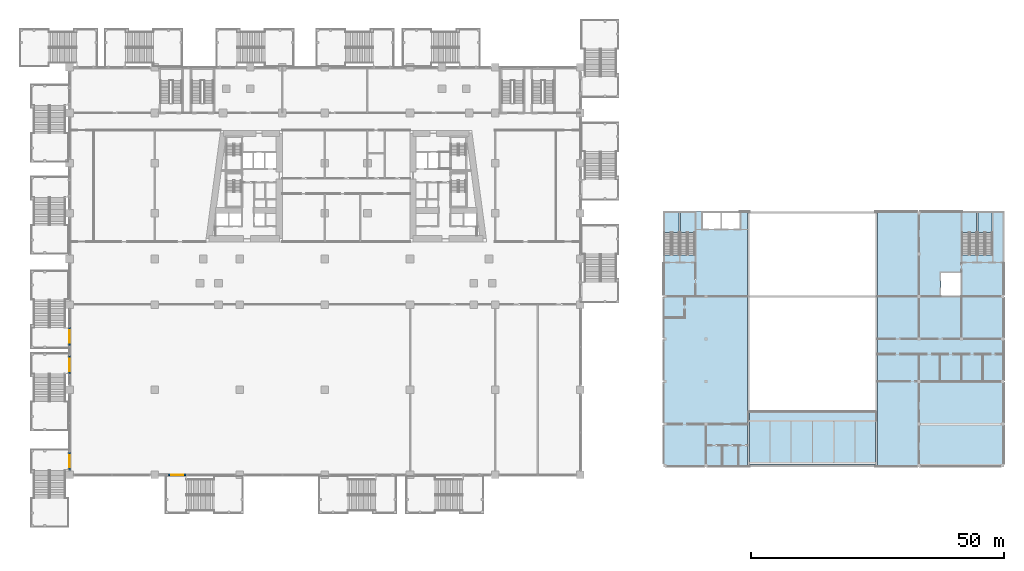
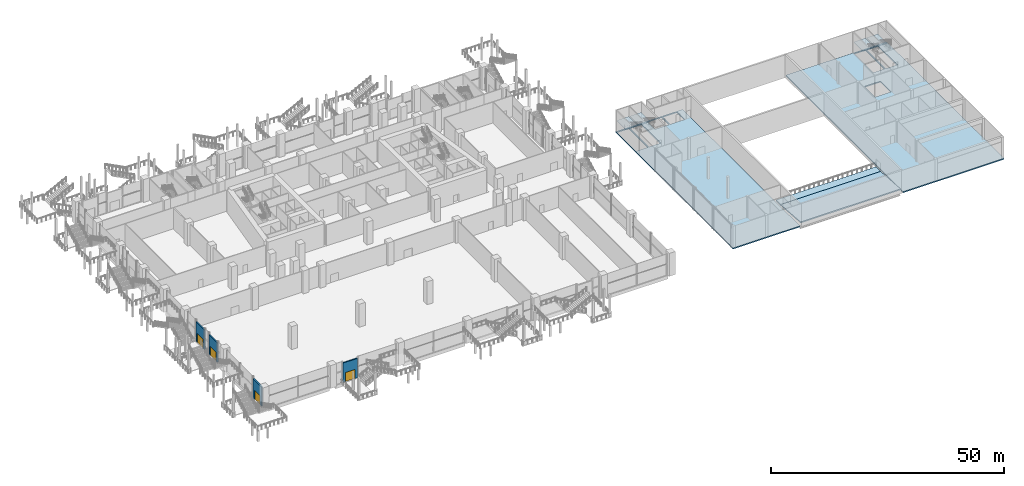
# One storey, part 21 of 49: 8 slabs, 4 doors, 4 walls, 4 openings, 4 elements without a shape of their own.
"""IFC4 building model written with IfcOpenShell, lengths in metres."""

from ifc_helpers import new_model, si_unit, direction, frame, frame_2d, origin, place, context, subcontext, project, spatial, polyline, rectangle, outline, extrude, material, layer, layer_set, type_object, element, fill, aggregate, save


model = new_model("IFC4")

# Units and contexts
model_context = context("Model", 3, precision=1e-05, world=origin(), true_north=direction((0.0, 1.0)))
body_context = subcontext(model_context, "Body", "Model", "MODEL_VIEW")
ifc_project = project(units=[si_unit("LENGTHUNIT", "METRE"), si_unit("AREAUNIT", "SQUARE_METRE"), si_unit("VOLUMEUNIT", "CUBIC_METRE"), si_unit("PLANEANGLEUNIT", "RADIAN"), si_unit("MASSUNIT", "GRAM", prefix="KILO")], contexts=[model_context])

# Site, building, storey
site_placement = place(None, origin())
site = spatial("IfcSite", under=ifc_project, at=site_placement, CompositionType="ELEMENT")
building_placement = place(site_placement, origin())
building = spatial("IfcBuilding", under=site, at=building_placement, Name="Candeia Pilgrim Tower and Theatre", CompositionType="ELEMENT")
storey_placement = place(building_placement, frame((0.0, 0.0, 17.0)))
storey = spatial("IfcBuildingStorey", under=building, at=storey_placement, Name="L02", CompositionType="ELEMENT", Elevation=17.0)

# Slabs
ifc_material_1 = material(Name="Concrete C35/45", Category="concrete")
ifc_layer_1 = layer(ifc_material_1, 0.300048828125)
ifc_layer_set_1 = layer_set([ifc_layer_1], Name="Circle floor slab 300")
slab_type_1 = type_object("IfcSlabType", Name="Circle floor slab 300", PredefinedType="FLOOR", material=ifc_layer_set_1)
slab_1_placement = place(storey_placement, frame((0.0, 0.0, -0.300048828125)))
element("IfcSlab", 1, at=slab_1_placement, inside=storey, type_object=slab_type_1, Name="Circle 2 front floor", PredefinedType="FLOOR", context=body_context, shape_type="SweptSolid", body=[
    extrude(outline(polyline([(193.0, 75.0), (217.800048828125, 75.0), (217.800048828125, 77.0), (193.0, 77.0), (193.0, 75.0)])), origin(), (0.0, 0.0, 1.0), 0.300048828125),
])
slab_2_placement = place(storey_placement, frame((193.0, 66.39990234375, 0.632080078125), z_axis=(0.0, 0.073299142381, 0.997309999813), x_axis=(1.0, 0.0, 0.0)))
element("IfcSlab", 2, at=slab_2_placement, inside=storey, type_object=slab_type_1, Name="Circle 2 raked floor", PredefinedType="FLOOR", context=body_context, shape_type="SweptSolid", body=[
    extrude(outline(polyline([(0.0, 0.0), (24.800048828125, 0.0), (24.800048828125, 8.623294319585714), (0.0, 8.623294319585714), (0.0, 0.0)])), origin(), (0.0, 0.0, -1.0), 0.300048828125),
])

# Stair, slab
stair_type = type_object("IfcStairType", Name="Theatre stair", PredefinedType="HALF_TURN_STAIR", material=ifc_material_1)
stair_1_placement = place(storey_placement, origin())
stair_1 = element("IfcStair", 3, at=stair_1_placement, inside=storey, type_object=stair_type, Name="L02 Theatre stair S1", PredefinedType="HALF_TURN_STAIR")
ifc_layer_2 = layer(ifc_material_1, 0.199951171875)
ifc_layer_set_2 = layer_set([ifc_layer_2], Name="Stair landing 200")
slab_type_2 = type_object("IfcSlabType", Name="Stair landing 200", PredefinedType="LANDING", material=ifc_layer_set_2)
slab_3_placement = place(storey_placement, frame((0.0, 0.0, 2.800048828125)))
slab_3 = element("IfcSlab", 4, at=slab_3_placement, type_object=slab_type_2, Name="TS1 landing 1", PredefinedType="LANDING", context=body_context, shape_type="SweptSolid", body=[
    extrude(outline(polyline([(179.10009765625, 112.2548828125), (179.10009765625, 116.14990234375), (176.125, 116.14990234375), (176.125, 112.2548828125), (179.10009765625, 112.2548828125)])), origin(), (0.0, 0.0, 1.0), 0.199951171875),
])
aggregate(stair_1, [slab_3])

stair_2_placement = place(storey_placement, origin())
stair_2 = element("IfcStair", 5, at=stair_2_placement, inside=storey, type_object=stair_type, Name="L02 Theatre stair S2", PredefinedType="HALF_TURN_STAIR")
slab_4_placement = place(storey_placement, frame((0.0, 0.0, 2.800048828125)))
slab_4 = element("IfcSlab", 6, at=slab_4_placement, type_object=slab_type_2, Name="TS2 landing 1", PredefinedType="LANDING", context=body_context, shape_type="SweptSolid", body=[
    extrude(outline(polyline([(182.199951171875, 112.2548828125), (182.199951171875, 116.14990234375), (179.35009765625, 116.14990234375), (179.35009765625, 112.2548828125), (182.199951171875, 112.2548828125)])), origin(), (0.0, 0.0, 1.0), 0.199951171875),
])
aggregate(stair_2, [slab_4])

stair_3_placement = place(storey_placement, origin())
stair_3 = element("IfcStair", 7, at=stair_3_placement, inside=storey, type_object=stair_type, Name="L02 Theatre stair S3", PredefinedType="HALF_TURN_STAIR")
slab_5_placement = place(storey_placement, frame((0.0, 0.0, 2.800048828125)))
slab_5 = element("IfcSlab", 8, at=slab_5_placement, type_object=slab_type_2, Name="TS3 landing 1", PredefinedType="LANDING", context=body_context, shape_type="SweptSolid", body=[
    extrude(outline(polyline([(237.77490234375, 112.2548828125), (237.77490234375, 116.14990234375), (234.925048828125, 116.14990234375), (234.925048828125, 112.2548828125), (237.77490234375, 112.2548828125)])), origin(), (0.0, 0.0, 1.0), 0.199951171875),
])
aggregate(stair_3, [slab_5])

stair_4_placement = place(storey_placement, origin())
stair_4 = element("IfcStair", 9, at=stair_4_placement, inside=storey, type_object=stair_type, Name="L02 Theatre stair S4", PredefinedType="HALF_TURN_STAIR")
slab_6_placement = place(storey_placement, frame((0.0, 0.0, 2.800048828125)))
slab_6 = element("IfcSlab", 10, at=slab_6_placement, type_object=slab_type_2, Name="TS4 landing 1", PredefinedType="LANDING", context=body_context, shape_type="SweptSolid", body=[
    extrude(outline(polyline([(240.875, 112.2548828125), (240.875, 116.14990234375), (238.02490234375, 116.14990234375), (238.02490234375, 112.2548828125), (240.875, 112.2548828125)])), origin(), (0.0, 0.0, 1.0), 0.199951171875),
])
aggregate(stair_4, [slab_6])

# Slabs
ifc_layer_3 = layer(ifc_material_1, 0.300048828125)
ifc_layer_set_3 = layer_set([ifc_layer_3], Name="Theatre floor slab 300")
slab_type_3 = type_object("IfcSlabType", Name="Theatre floor slab 300", PredefinedType="FLOOR", material=ifc_layer_set_3)
slab_7_placement = place(storey_placement, frame((0.0, 0.0, -0.300048828125)))
element("IfcSlab", 11, at=slab_7_placement, inside=storey, type_object=slab_type_3, Name="T-L02-F1", PredefinedType="FLOOR", context=body_context, shape_type="SweptSolid", body=[
    extrude(outline(polyline([(192.60009765625, 66.0), (176.0, 66.0), (176.0, 116.39990234375), (192.60009765625, 116.39990234375), (192.60009765625, 66.0)]), holes=[polyline([(179.10009765625, 116.14990234375), (176.125, 116.14990234375), (176.125, 107.794921875), (179.10009765625, 107.794921875), (179.10009765625, 116.14990234375)]), polyline([(182.199951171875, 107.794921875), (182.199951171875, 116.14990234375), (179.35009765625, 116.14990234375), (179.35009765625, 107.794921875), (182.199951171875, 107.794921875)]), polyline([(183.72509765625, 112.925048828125), (187.27490234375, 112.925048828125), (187.27490234375, 116.27490234375), (183.72509765625, 116.27490234375), (183.72509765625, 112.925048828125)]), polyline([(187.52490234375, 116.27490234375), (187.52490234375, 112.925048828125), (191.074951171875, 112.925048828125), (191.074951171875, 116.27490234375), (187.52490234375, 116.27490234375)])]), origin(), (0.0, 0.0, 1.0), 0.300048828125),
])
slab_8_placement = place(storey_placement, frame((0.0, 0.0, -0.300048828125)))
element("IfcSlab", 12, at=slab_8_placement, inside=storey, type_object=slab_type_3, Name="T-L02-F2", PredefinedType="FLOOR", context=body_context, shape_type="SweptSolid", body=[
    extrude(outline(polyline([(243.199951171875, 66.0), (218.199951171875, 66.0), (218.199951171875, 116.39990234375), (243.199951171875, 116.39990234375), (243.199951171875, 66.0)]), holes=[polyline([(234.925048828125, 107.794921875), (237.77490234375, 107.794921875), (237.77490234375, 116.14990234375), (234.925048828125, 116.14990234375), (234.925048828125, 107.794921875)]), polyline([(238.02490234375, 116.14990234375), (238.02490234375, 107.794921875), (240.875, 107.794921875), (240.875, 116.14990234375), (238.02490234375, 116.14990234375)]), polyline([(234.675048828125, 104.27490234375), (230.72509765625, 104.27490234375), (230.72509765625, 99.72509765625), (234.675048828125, 99.72509765625), (234.675048828125, 104.27490234375)])]), origin(), (0.0, 0.0, 1.0), 0.300048828125),
])

# Wall, opening, door
ifc_material_2 = material(Name="Ceramic block masonry", Category="masonry")
ifc_layer_4 = layer(ifc_material_2, 0.300048828125)
ifc_layer_set_4 = layer_set([ifc_layer_4], Name="EW2 entrance infill wall 300")
wall_type = type_object("IfcWallType", Name="EW2 entrance infill wall 300", PredefinedType="SOLIDWALL", material=ifc_layer_set_4)
wall_1_placement = place(storey_placement, frame((58.800048828125, 65.300048828125, 0.0), z_axis=(0.0, 0.0, 1.0), x_axis=(0.0, 1.0, 0.0)))
wall_1 = element("IfcWall", 13, at=wall_1_placement, inside=storey, type_object=wall_type, Name="Entrance wall L02", PredefinedType="SOLIDWALL", context=body_context, shape_type="SweptSolid", body=[
    extrude(rectangle(XDim=3.599853515625, YDim=0.300048828125, at=frame_2d((1.7998046875, 0.0))), origin(), (0.0, 0.0, 1.0), 5.10009765625),
])
opening_1_placement = place(wall_1_placement, frame((0.60009765625, 0.0, 0.0)))
opening_1 = element("IfcOpeningElement", 14, at=opening_1_placement, cuts=wall_1, Name="Opening L02-ED043", PredefinedType="OPENING", context=body_context, shape_type="SweptSolid", body=[
    extrude(rectangle(XDim=2.39990234375, YDim=2.39990234375, at=frame_2d((1.199951171875, 1.199951171875))), frame((0.0, 0.16015625, 0.0), z_axis=(0.0, -1.0, 0.0), x_axis=(1.0, 0.0, 0.0)), (0.0, 0.0, 1.0), 0.320068359375),
])
ifc_material_3 = material(Name="Aluminium framed glazed door", Category="aluminium")
door_type = type_object("IfcDoorType", Name="ED entrance double door 2400x2400", OperationType="DOUBLE_DOOR_DOUBLE_SWING", PredefinedType="DOOR", material=ifc_material_3)
door_1_placement = place(opening_1_placement, origin())
door_1 = element("IfcDoor", 15, at=door_1_placement, inside=storey, type_object=door_type, Name="Entrance door L02-ED043", OperationType="DOUBLE_DOOR_DOUBLE_SWING", OverallHeight=2.39990234375, OverallWidth=2.39990234375, PredefinedType="DOOR", context=body_context, shape_type="SweptSolid", body=[
    extrude(rectangle(XDim=2.39990234375, YDim=2.39990234375, at=frame_2d((1.199951171875, 1.199951171875))), frame((0.0, 0.02490234375, 0.0), z_axis=(0.0, -1.0, 0.0), x_axis=(1.0, 0.0, 0.0)), (0.0, 0.0, 1.0), 0.050048828125),
])
fill(opening_1, door_1)

wall_2_placement = place(storey_placement, frame((58.800048828125, 84.300048828125, 0.0), z_axis=(0.0, 0.0, 1.0), x_axis=(0.0, 1.0, 0.0)))
wall_2 = element("IfcWall", 16, at=wall_2_placement, inside=storey, type_object=wall_type, Name="Entrance wall L02", PredefinedType="SOLIDWALL", context=body_context, shape_type="SweptSolid", body=[
    extrude(rectangle(XDim=3.599853515625, YDim=0.300048828125, at=frame_2d((1.7998046875, 0.0))), origin(), (0.0, 0.0, 1.0), 5.10009765625),
])
opening_2_placement = place(wall_2_placement, frame((0.60009765625, 0.0, 0.0)))
opening_2 = element("IfcOpeningElement", 17, at=opening_2_placement, cuts=wall_2, Name="Opening L02-ED044", PredefinedType="OPENING", context=body_context, shape_type="SweptSolid", body=[
    extrude(rectangle(XDim=2.39990234375, YDim=2.39990234375, at=frame_2d((1.199951171875, 1.199951171875))), frame((0.0, 0.16015625, 0.0), z_axis=(0.0, -1.0, 0.0), x_axis=(1.0, 0.0, 0.0)), (0.0, 0.0, 1.0), 0.320068359375),
])
door_2_placement = place(opening_2_placement, origin())
door_2 = element("IfcDoor", 18, at=door_2_placement, inside=storey, type_object=door_type, Name="Entrance door L02-ED044", OperationType="DOUBLE_DOOR_DOUBLE_SWING", OverallHeight=2.39990234375, OverallWidth=2.39990234375, PredefinedType="DOOR", context=body_context, shape_type="SweptSolid", body=[
    extrude(rectangle(XDim=2.39990234375, YDim=2.39990234375, at=frame_2d((1.199951171875, 1.199951171875))), frame((0.0, 0.02490234375, 0.0), z_axis=(0.0, -1.0, 0.0), x_axis=(1.0, 0.0, 0.0)), (0.0, 0.0, 1.0), 0.050048828125),
])
fill(opening_2, door_2)

wall_3_placement = place(storey_placement, frame((58.800048828125, 89.89990234375, 0.0), z_axis=(0.0, 0.0, 1.0), x_axis=(0.0, 1.0, 0.0)))
wall_3 = element("IfcWall", 19, at=wall_3_placement, inside=storey, type_object=wall_type, Name="Entrance wall L02", PredefinedType="SOLIDWALL", context=body_context, shape_type="SweptSolid", body=[
    extrude(rectangle(XDim=3.60009765625, YDim=0.300048828125, at=frame_2d((1.800048828125, 0.0))), origin(), (0.0, 0.0, 1.0), 5.10009765625),
])
opening_3_placement = place(wall_3_placement, frame((0.60009765625, 0.0, 0.0)))
opening_3 = element("IfcOpeningElement", 20, at=opening_3_placement, cuts=wall_3, Name="Opening L02-ED045", PredefinedType="OPENING", context=body_context, shape_type="SweptSolid", body=[
    extrude(rectangle(XDim=2.39990234375, YDim=2.39990234375, at=frame_2d((1.199951171875, 1.199951171875))), frame((0.0, 0.16015625, 0.0), z_axis=(0.0, -1.0, 0.0), x_axis=(1.0, 0.0, 0.0)), (0.0, 0.0, 1.0), 0.320068359375),
])
door_3_placement = place(opening_3_placement, origin())
door_3 = element("IfcDoor", 21, at=door_3_placement, inside=storey, type_object=door_type, Name="Entrance door L02-ED045", OperationType="DOUBLE_DOOR_DOUBLE_SWING", OverallHeight=2.39990234375, OverallWidth=2.39990234375, PredefinedType="DOOR", context=body_context, shape_type="SweptSolid", body=[
    extrude(rectangle(XDim=2.39990234375, YDim=2.39990234375, at=frame_2d((1.199951171875, 1.199951171875))), frame((0.0, 0.02490234375, 0.0), z_axis=(0.0, -1.0, 0.0), x_axis=(1.0, 0.0, 0.0)), (0.0, 0.0, 1.0), 0.050048828125),
])
fill(opening_3, door_3)

wall_4_placement = place(storey_placement, frame((81.89990234375, 64.39990234375, 0.0), z_axis=(0.0, 0.0, 1.0), x_axis=(-1.0, 0.0, 0.0)))
wall_4 = element("IfcWall", 22, at=wall_4_placement, inside=storey, type_object=wall_type, Name="Entrance wall L02", PredefinedType="SOLIDWALL", context=body_context, shape_type="SweptSolid", body=[
    extrude(rectangle(XDim=3.599853515625, YDim=0.300048828125, at=frame_2d((1.7998046875, 0.0))), origin(), (0.0, 0.0, 1.0), 5.10009765625),
])
opening_4_placement = place(wall_4_placement, frame((0.60009765625, 0.0, 0.0)))
opening_4 = element("IfcOpeningElement", 23, at=opening_4_placement, cuts=wall_4, Name="Opening L02-ED058", PredefinedType="OPENING", context=body_context, shape_type="SweptSolid", body=[
    extrude(rectangle(XDim=2.39990234375, YDim=2.39990234375, at=frame_2d((1.199951171875, 1.199951171875))), frame((0.0, 0.16015625, 0.0), z_axis=(0.0, -1.0, 0.0), x_axis=(1.0, 0.0, 0.0)), (0.0, 0.0, 1.0), 0.320068359375),
])
door_4_placement = place(opening_4_placement, origin())
door_4 = element("IfcDoor", 24, at=door_4_placement, inside=storey, type_object=door_type, Name="Entrance door L02-ED058", OperationType="DOUBLE_DOOR_DOUBLE_SWING", OverallHeight=2.39990234375, OverallWidth=2.39990234375, PredefinedType="DOOR", context=body_context, shape_type="SweptSolid", body=[
    extrude(rectangle(XDim=2.39990234375, YDim=2.39990234375, at=frame_2d((1.199951171875, 1.199951171875))), frame((0.0, 0.02490234375, 0.0), z_axis=(0.0, -1.0, 0.0), x_axis=(1.0, 0.0, 0.0)), (0.0, 0.0, 1.0), 0.050048828125),
])
fill(opening_4, door_4)

save(model, "model.ifc")
